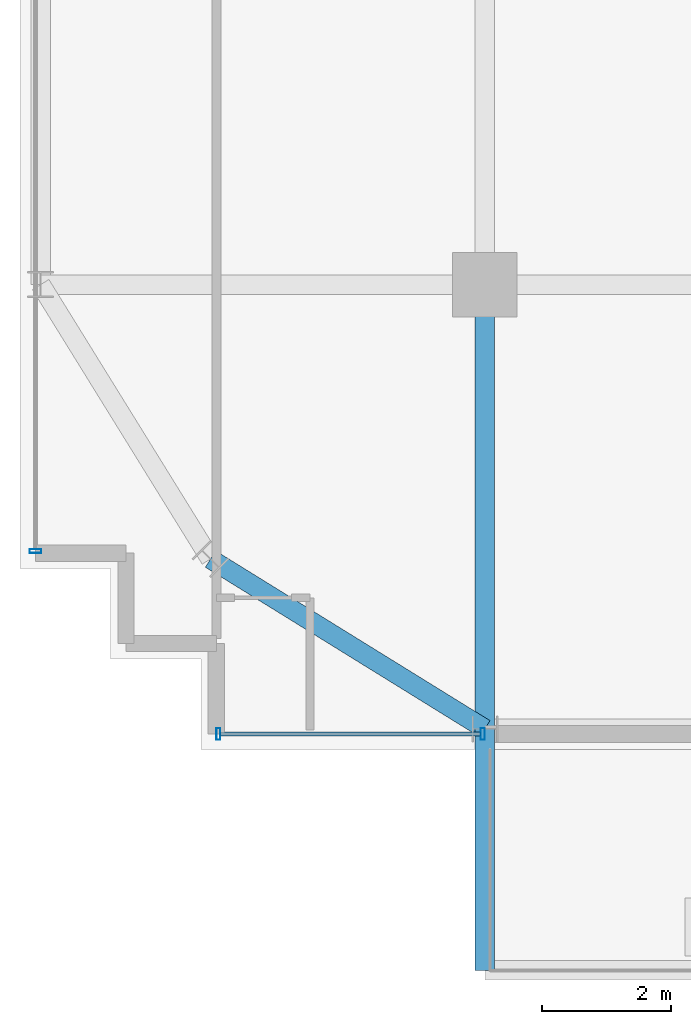
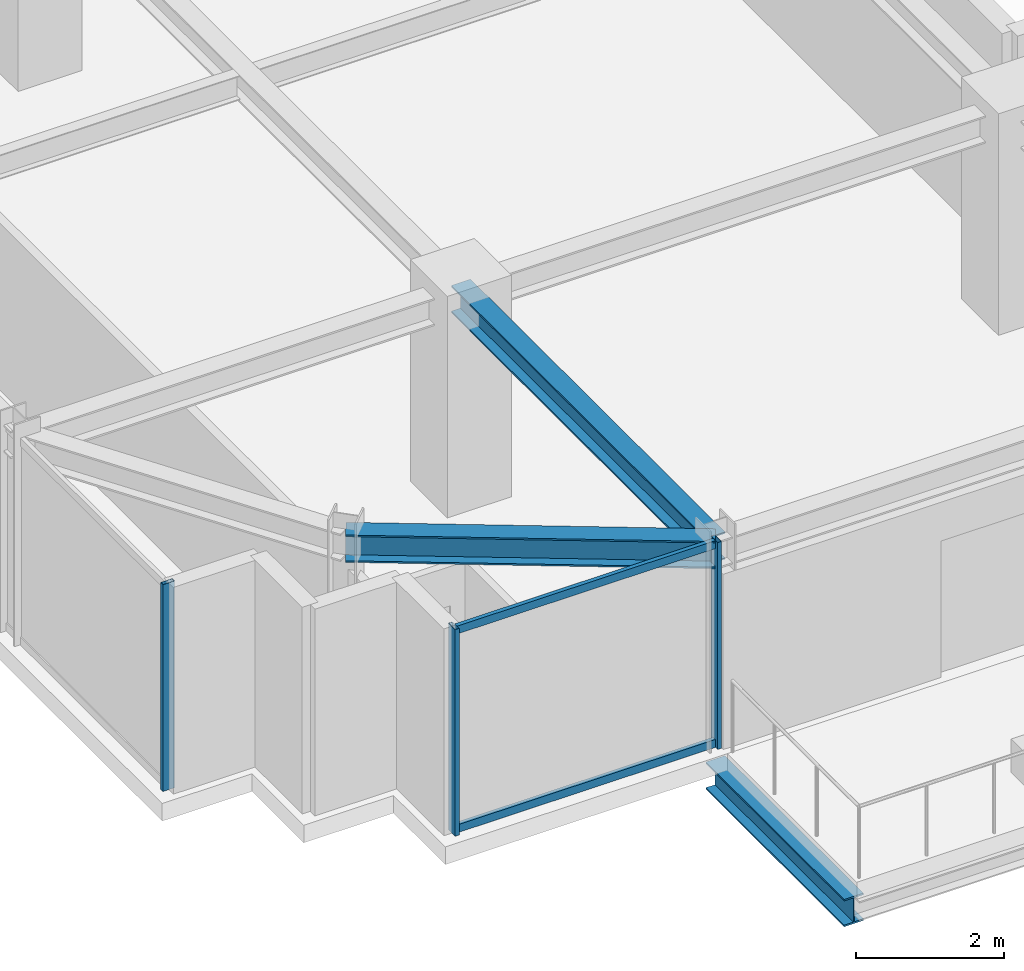
# One storey, part 3 of 36: 5 members, 3 beams, 2 elements without a shape of their own.
"""IFC4 building model written with IfcOpenShell, lengths in metres."""

from ifc_helpers import new_model, si_unit, direction, frame, origin, origin_2d, place, context, subcontext, project, spatial, hollow_rectangle, i_section, extrude, source, transform, mapped, material, material_profile, profile_set, type_object, element, aggregate, save


model = new_model("IFC4")

# Units and contexts
model_context = context("Model", 3, precision=1e-05, world=origin(), true_north=direction((0.0, 1.0)))
body_context = subcontext(model_context, "Body", "Model", "MODEL_VIEW")
ifc_project = project(units=[si_unit("LENGTHUNIT", "METRE"), si_unit("AREAUNIT", "SQUARE_METRE"), si_unit("VOLUMEUNIT", "CUBIC_METRE"), si_unit("PLANEANGLEUNIT", "RADIAN"), si_unit("MASSUNIT", "GRAM", prefix="KILO")], contexts=[model_context])

# Site, building, storey
site_placement = place(None, origin())
site = spatial("IfcSite", under=ifc_project, at=site_placement, CompositionType="ELEMENT")
building_placement = place(site_placement, origin())
building = spatial("IfcBuilding", under=site, at=building_placement, Name="Nahalor Promenade Grand Hotel", CompositionType="ELEMENT")
storey_placement = place(building_placement, frame((0.0, 0.0, 223.39990234375)))
storey = spatial("IfcBuildingStorey", under=building, at=storey_placement, Name="L57", CompositionType="ELEMENT", Elevation=223.39990234375)

# Beams
ifc_material_1 = material(Name="Steel S355JR", Category="steel")
ifc_material_profile_1 = material_profile(ifc_material_1, i_section(OverallWidth=0.3, OverallDepth=0.45, WebThickness=0.014, FlangeThickness=0.026, at=origin_2d()), Name="HEB 450")
ifc_profile_set_1 = profile_set([ifc_material_profile_1], Name="Steel S355JR")
beam_type_1 = type_object("IfcBeamType", Name="Beam-Outrigger-HEB450", PredefinedType="BEAM", material=ifc_profile_set_1)
shared_shape_1 = source(origin(), body_context, "Body", "SweptSolid", [
    extrude(i_section(OverallWidth=0.3, OverallDepth=0.45, WebThickness=0.014, FlangeThickness=0.026, at=origin_2d()), origin(), (0.0, 0.0, 1.0), 3.740234375),
])
beam_1_placement = place(storey_placement, frame((-17.0, -27.6201171875, -0.5048828125), z_axis=(0.0, 1.0, 0.0), x_axis=(-1.0, 0.0, 0.0)))
element("IfcBeam", 1, at=beam_1_placement, inside=storey, type_object=beam_type_1, Name="BM-L57-BC-01-1", PredefinedType="BEAM", context=body_context, shape_type="MappedRepresentation", body=[
    mapped(shared_shape_1, transform((0.0, 0.0, 0.0), scale=1.0)),
])
ifc_material_profile_2 = material_profile(ifc_material_1, i_section(OverallWidth=0.3, OverallDepth=0.45, WebThickness=0.014, FlangeThickness=0.026, at=origin_2d()), Name="HEB 450")
ifc_profile_set_2 = profile_set([ifc_material_profile_2], Name="Steel S355JR")
beam_type_2 = type_object("IfcBeamType", Name="Beam-Spandrel-HEB450", PredefinedType="SPANDREL", material=ifc_profile_set_2)
shared_shape_2 = source(origin(), body_context, "Body", "SweptSolid", [
    extrude(i_section(OverallWidth=0.3, OverallDepth=0.45, WebThickness=0.014, FlangeThickness=0.026, at=origin_2d()), origin(), (0.0, 0.0, 1.0), 4.997802734375),
])
beam_2_placement = place(storey_placement, frame((-17.0, -23.8798828125, 3.18505859375), z_axis=(-0.850360908404, 0.526199891161, 0.0), x_axis=(-0.526199891161, -0.850360908404, 0.0)))
element("IfcBeam", 2, at=beam_2_placement, inside=storey, type_object=beam_type_2, Name="BM-L57-SPC-SW-1", PredefinedType="SPANDREL", context=body_context, shape_type="MappedRepresentation", body=[
    mapped(shared_shape_2, transform((0.0, 0.0, 0.0), scale=1.0)),
])
ifc_material_profile_3 = material_profile(ifc_material_1, i_section(OverallWidth=0.3, OverallDepth=0.45, WebThickness=0.014, FlangeThickness=0.026, at=origin_2d()), Name="HEB 450")
ifc_profile_set_3 = profile_set([ifc_material_profile_3], Name="Steel S355JR")
beam_type_3 = type_object("IfcBeamType", Name="Beam-Girder-HEB450", PredefinedType="BEAM", material=ifc_profile_set_3)
shared_shape_3 = source(origin(), body_context, "Body", "SweptSolid", [
    extrude(i_section(OverallWidth=0.3, OverallDepth=0.45, WebThickness=0.014, FlangeThickness=0.026, at=origin_2d()), origin(), (0.0, 0.0, 1.0), 6.8798828125),
])
beam_3_placement = place(storey_placement, frame((-17.0, -23.8798828125, 3.18505859375), z_axis=(0.0, 1.0, 0.0), x_axis=(-1.0, 0.0, 0.0)))
element("IfcBeam", 3, at=beam_3_placement, inside=storey, type_object=beam_type_3, Name="BM-L57-GY-0-0", PredefinedType="BEAM", context=body_context, shape_type="MappedRepresentation", body=[
    mapped(shared_shape_3, transform((0.0, 0.0, 0.0), scale=1.0)),
])

# Curtain wall, members
ifc_material_2 = material(Name="Anodised Bronze Aluminium EN AW-6063 T6", Category="aluminium")
curtain_wall_type = type_object("IfcCurtainWallType", Name="CW2 Typical Hotel Flush Bronze Unitised Curtain Wall", PredefinedType="USERDEFINED", material=ifc_material_2)
curtain_wall_1_placement = place(storey_placement, origin())
curtain_wall_1 = element("IfcCurtainWall", 4, at=curtain_wall_1_placement, inside=storey, type_object=curtain_wall_type, Name="L57 Curtain Wall CW-L57-S-1", ObjectType="UNITISED_CURTAIN_WALL", PredefinedType="USERDEFINED")
ifc_material_profile_4 = material_profile(ifc_material_2, hollow_rectangle(XDim=0.065, YDim=0.18, WallThickness=0.004, at=origin_2d()), Name="CWM 65x180x4")
ifc_profile_set_4 = profile_set([ifc_material_profile_4], Name="Anodised Bronze Aluminium EN AW-6063 T6")
member_type_1 = type_object("IfcMemberType", Name="CWM2 Typical Bronze Mullion 65x180", PredefinedType="MULLION", material=ifc_profile_set_4)
shared_shape_4 = source(origin(), body_context, "Body", "SweptSolid", [
    extrude(hollow_rectangle(XDim=0.065, YDim=0.18, WallThickness=0.004, at=origin_2d()), origin(), (0.0, 0.0, 1.0), 3.41015625),
])
member_1_placement = place(storey_placement, frame((-21.12744140625, -23.9599609375, 0.0), z_axis=(0.0, 0.0, 1.0), x_axis=(1.0, 0.0, 0.0)))
member_1 = element("IfcMember", 5, at=member_1_placement, type_object=member_type_1, Name="CW-L57-S-1 Mullion 0", PredefinedType="MULLION", context=body_context, shape_type="MappedRepresentation", body=[
    mapped(shared_shape_4, transform((0.0, 0.0, 0.0), scale=1.0)),
])
member_2_placement = place(storey_placement, frame((-17.032470703125, -23.9599609375, 0.0), z_axis=(0.0, 0.0, 1.0), x_axis=(1.0, 0.0, 0.0)))
member_2 = element("IfcMember", 6, at=member_2_placement, type_object=member_type_1, Name="CW-L57-S-1 Mullion 1", PredefinedType="MULLION", context=body_context, shape_type="MappedRepresentation", body=[
    mapped(shared_shape_4, transform((0.0, 0.0, 0.0), scale=1.0)),
])

# Curtain wall, member
curtain_wall_2_placement = place(storey_placement, origin())
curtain_wall_2 = element("IfcCurtainWall", 7, at=curtain_wall_2_placement, inside=storey, type_object=curtain_wall_type, Name="L57 Curtain Wall CW-L57-W-1", ObjectType="UNITISED_CURTAIN_WALL", PredefinedType="USERDEFINED")
member_3_placement = place(storey_placement, frame((-23.9599609375, -21.12744140625, 0.0), z_axis=(0.0, 0.0, 1.0), x_axis=(0.0, 1.0, 0.0)))
member_3 = element("IfcMember", 8, at=member_3_placement, type_object=member_type_1, Name="CW-L57-W-1 Mullion 0", PredefinedType="MULLION", context=body_context, shape_type="MappedRepresentation", body=[
    mapped(shared_shape_4, transform((0.0, 0.0, 0.0), scale=1.0)),
])
aggregate(curtain_wall_2, [member_3])

# Member
ifc_material_profile_5 = material_profile(ifc_material_2, hollow_rectangle(XDim=0.065, YDim=0.13, WallThickness=0.004, at=origin_2d()), Name="CWT 65x130x4")
ifc_profile_set_5 = profile_set([ifc_material_profile_5], Name="Anodised Bronze Aluminium EN AW-6063 T6")
member_type_2 = type_object("IfcMemberType", Name="CWT2 Typical Bronze Transom 65x130", PredefinedType="USERDEFINED", material=ifc_profile_set_5)
shared_shape_5 = source(origin(), body_context, "Body", "SweptSolid", [
    extrude(hollow_rectangle(XDim=0.065, YDim=0.13, WallThickness=0.004, at=origin_2d()), origin(), (0.0, 0.0, 1.0), 4.030029296875),
])
member_4_placement = place(storey_placement, frame((-21.094970703125, -23.9599609375, 0.065185546875), z_axis=(1.0, 0.0, 0.0), x_axis=(0.0, 1.0, 0.0)))
member_4 = element("IfcMember", 9, at=member_4_placement, type_object=member_type_2, Name="CW-L57-S-1 Transom 0-0", ObjectType="TRANSOM", PredefinedType="USERDEFINED", context=body_context, shape_type="MappedRepresentation", body=[
    mapped(shared_shape_5, transform((0.0, 0.0, 0.0), scale=1.0)),
])

member_5_placement = place(storey_placement, frame((-21.094970703125, -23.9599609375, 3.34521484375), z_axis=(1.0, 0.0, 0.0), x_axis=(0.0, 1.0, 0.0)))
member_5 = element("IfcMember", 10, at=member_5_placement, type_object=member_type_2, Name="CW-L57-S-1 Transom 0-1", ObjectType="TRANSOM", PredefinedType="USERDEFINED", context=body_context, shape_type="MappedRepresentation", body=[
    mapped(shared_shape_5, transform((0.0, 0.0, 0.0), scale=1.0)),
])

aggregate(curtain_wall_1, [member_1, member_2, member_4, member_5])

save(model, "model.ifc")
